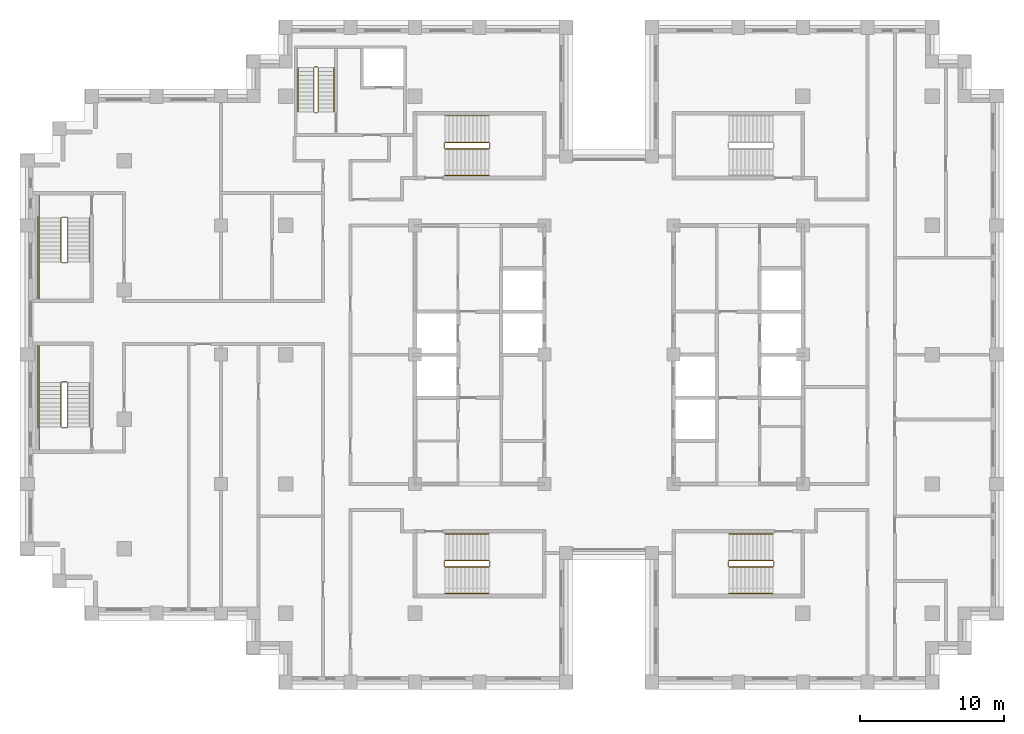
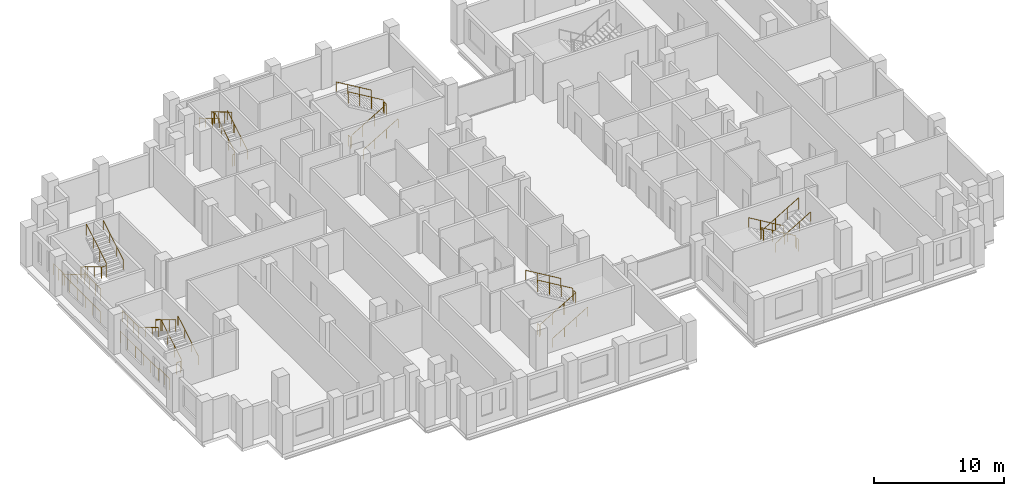
# One storey, part 14 of 15: 6 railings.
"""IFC4 building model written with IfcOpenShell, lengths in metres."""

from ifc_helpers import new_model, si_unit, direction, frame, origin, origin_2d, place, context, subcontext, project, spatial, circle, extrude, material, type_object, element, save


model = new_model("IFC4")

# Units and contexts
model_context = context("Model", 3, precision=1e-05, world=origin(), true_north=direction((0.0, 1.0)))
body_context = subcontext(model_context, "Body", "Model", "MODEL_VIEW")
ifc_project = project(units=[si_unit("LENGTHUNIT", "METRE"), si_unit("AREAUNIT", "SQUARE_METRE"), si_unit("VOLUMEUNIT", "CUBIC_METRE"), si_unit("PLANEANGLEUNIT", "RADIAN"), si_unit("MASSUNIT", "GRAM", prefix="KILO")], contexts=[model_context])

# Site, building, storey
site_placement = place(None, origin())
site = spatial("IfcSite", under=ifc_project, at=site_placement, CompositionType="ELEMENT")
building_placement = place(site_placement, origin())
building = spatial("IfcBuilding", under=site, at=building_placement, Name="Corbelhall Arena Tower", CompositionType="ELEMENT")
storey_placement = place(building_placement, frame((0.0, 0.0, 200.0)))
storey = spatial("IfcBuildingStorey", under=building, at=storey_placement, Name="L41", CompositionType="ELEMENT", Elevation=200.0)

# Railings
ifc_material = material(Name="Steel ASTM A500 Gr C", Category="steel")
railing_type = type_object("IfcRailingType", Name="IN-GD-1100", PredefinedType="GUARDRAIL", material=ifc_material)
railing_1_placement = place(storey_placement, frame((-11.425048828125, 14.324951171875, 0.166748046875)))
element("IfcRailing", 1, at=railing_1_placement, inside=storey, type_object=railing_type, Name="L41 ST1 stair guards and handrails", PredefinedType="GUARDRAIL", context=body_context, shape_type="SweptSolid", body=[
    extrude(circle(Radius=0.02392578125, at=origin_2d()), frame((0.0, 0.0, 1.076171875), z_axis=(0.859308565015, 0.0, 0.511457515432), x_axis=(0.0, 1.0, 0.0)), (0.0, 0.0, 1.0), 3.58447265625),
    extrude(circle(Radius=0.02392578125, at=origin_2d()), frame((3.130126953125, 0.050048828125, 2.9091796875), z_axis=(0.0, 1.0, 0.0), x_axis=(-1.0, 0.0, 0.0)), (0.0, 0.0, 1.0), 0.35009765625),
    extrude(circle(Radius=0.02392578125, at=origin_2d()), frame((3.080078125, 0.449951171875, 3.076171875), z_axis=(-0.859308565015, 0.0, 0.511457515432), x_axis=(0.0, -1.0, 0.0)), (0.0, 0.0, 1.0), 3.58447265625),
    extrude(circle(Radius=0.02392578125, at=origin_2d()), frame((-0.050048828125, 0.050048828125, 0.9091796875), z_axis=(0.0, 1.0, 0.0), x_axis=(-1.0, 0.0, 0.0)), (0.0, 0.0, 1.0), 0.35009765625),
    extrude(circle(Radius=0.02392578125, at=origin_2d()), frame((0.0, -1.849853515625, 0.8759765625), z_axis=(0.859308565015, 0.0, 0.511457515432), x_axis=(0.0, 1.0, 0.0)), (0.0, 0.0, 1.0), 3.58447265625),
    extrude(circle(Radius=0.02392578125, at=origin_2d()), frame((3.080078125, 2.300048828125, 2.8759765625), z_axis=(-0.859308565015, 0.0, 0.511457515432), x_axis=(0.0, -1.0, 0.0)), (0.0, 0.0, 1.0), 3.58447265625),
    extrude(circle(Radius=0.02099609375, at=origin_2d()), origin(), (0.0, 0.0, 1.0), 1.052001953125),
    extrude(circle(Radius=0.02099609375, at=origin_2d()), frame((1.026611328125, 0.0, 0.611083984375)), (0.0, 0.0, 1.0), 1.052001953125),
    extrude(circle(Radius=0.02099609375, at=origin_2d()), frame((2.053466796875, 0.0, 1.22216796875)), (0.0, 0.0, 1.0), 1.052001953125),
    extrude(circle(Radius=0.02099609375, at=origin_2d()), frame((3.080078125, 0.0, 1.833251953125)), (0.0, 0.0, 1.0), 1.052001953125),
    extrude(circle(Radius=0.02099609375, at=origin_2d()), frame((3.130126953125, 0.050048828125, 1.833251953125)), (0.0, 0.0, 1.0), 1.052001953125),
    extrude(circle(Radius=0.02099609375, at=origin_2d()), frame((3.130126953125, 0.400146484375, 1.833251953125)), (0.0, 0.0, 1.0), 1.052001953125),
    extrude(circle(Radius=0.02099609375, at=origin_2d()), frame((3.080078125, 0.449951171875, 2.0)), (0.0, 0.0, 1.0), 1.052001953125),
    extrude(circle(Radius=0.02099609375, at=origin_2d()), frame((2.053466796875, 0.449951171875, 2.611083984375)), (0.0, 0.0, 1.0), 1.052001953125),
    extrude(circle(Radius=0.02099609375, at=origin_2d()), frame((1.026611328125, 0.449951171875, 3.22216796875)), (0.0, 0.0, 1.0), 1.052001953125),
    extrude(circle(Radius=0.02099609375, at=origin_2d()), frame((0.0, 0.449951171875, 3.833251953125)), (0.0, 0.0, 1.0), 1.052001953125),
    extrude(circle(Radius=0.02099609375, at=origin_2d()), frame((-0.050048828125, 0.050048828125, -0.166748046875)), (0.0, 0.0, 1.0), 1.052001953125),
    extrude(circle(Radius=0.02099609375, at=origin_2d()), frame((-0.050048828125, 0.400146484375, -0.166748046875)), (0.0, 0.0, 1.0), 1.052001953125),
    extrude(circle(Radius=0.02099609375, at=origin_2d()), frame((0.0, -1.849853515625, 0.0)), (0.0, 0.0, 1.0), 0.851806640625),
    extrude(circle(Radius=0.02099609375, at=origin_2d()), frame((1.026611328125, -1.849853515625, 0.611083984375)), (0.0, 0.0, 1.0), 0.851806640625),
    extrude(circle(Radius=0.02099609375, at=origin_2d()), frame((2.053466796875, -1.849853515625, 1.22216796875)), (0.0, 0.0, 1.0), 0.851806640625),
    extrude(circle(Radius=0.02099609375, at=origin_2d()), frame((3.080078125, -1.849853515625, 1.833251953125)), (0.0, 0.0, 1.0), 0.851806640625),
    extrude(circle(Radius=0.02099609375, at=origin_2d()), frame((3.080078125, 2.300048828125, 2.0)), (0.0, 0.0, 1.0), 0.851806640625),
    extrude(circle(Radius=0.02099609375, at=origin_2d()), frame((2.053466796875, 2.300048828125, 2.611083984375)), (0.0, 0.0, 1.0), 0.851806640625),
    extrude(circle(Radius=0.02099609375, at=origin_2d()), frame((1.026611328125, 2.300048828125, 3.22216796875)), (0.0, 0.0, 1.0), 0.851806640625),
    extrude(circle(Radius=0.02099609375, at=origin_2d()), frame((0.0, 2.300048828125, 3.833251953125)), (0.0, 0.0, 1.0), 0.851806640625),
])
railing_2_placement = place(storey_placement, frame((-11.425048828125, -14.77490234375, 0.166748046875)))
element("IfcRailing", 2, at=railing_2_placement, inside=storey, type_object=railing_type, Name="L41 ST2 stair guards and handrails", PredefinedType="GUARDRAIL", context=body_context, shape_type="SweptSolid", body=[
    extrude(circle(Radius=0.02392578125, at=origin_2d()), frame((0.0, 0.0, 1.076171875), z_axis=(0.859308565015, 0.0, 0.511457515432), x_axis=(0.0, 1.0, 0.0)), (0.0, 0.0, 1.0), 3.58447265625),
    extrude(circle(Radius=0.02392578125, at=origin_2d()), frame((3.130126953125, 0.0498046875, 2.9091796875), z_axis=(0.0, 1.0, 0.0), x_axis=(-1.0, 0.0, 0.0)), (0.0, 0.0, 1.0), 0.35009765625),
    extrude(circle(Radius=0.02392578125, at=origin_2d()), frame((3.080078125, 0.449951171875, 3.076171875), z_axis=(-0.859308565015, 0.0, 0.511457515432), x_axis=(0.0, -1.0, 0.0)), (0.0, 0.0, 1.0), 3.58447265625),
    extrude(circle(Radius=0.02392578125, at=origin_2d()), frame((-0.050048828125, 0.0498046875, 0.9091796875), z_axis=(0.0, 1.0, 0.0), x_axis=(-1.0, 0.0, 0.0)), (0.0, 0.0, 1.0), 0.35009765625),
    extrude(circle(Radius=0.02392578125, at=origin_2d()), frame((0.0, -1.85009765625, 0.8759765625), z_axis=(0.859308565015, 0.0, 0.511457515432), x_axis=(0.0, 1.0, 0.0)), (0.0, 0.0, 1.0), 3.58447265625),
    extrude(circle(Radius=0.02392578125, at=origin_2d()), frame((3.080078125, 2.2998046875, 2.8759765625), z_axis=(-0.859308565015, 0.0, 0.511457515432), x_axis=(0.0, -1.0, 0.0)), (0.0, 0.0, 1.0), 3.58447265625),
    extrude(circle(Radius=0.02099609375, at=origin_2d()), origin(), (0.0, 0.0, 1.0), 1.052001953125),
    extrude(circle(Radius=0.02099609375, at=origin_2d()), frame((1.026611328125, 0.0, 0.611083984375)), (0.0, 0.0, 1.0), 1.052001953125),
    extrude(circle(Radius=0.02099609375, at=origin_2d()), frame((2.053466796875, 0.0, 1.22216796875)), (0.0, 0.0, 1.0), 1.052001953125),
    extrude(circle(Radius=0.02099609375, at=origin_2d()), frame((3.080078125, 0.0, 1.833251953125)), (0.0, 0.0, 1.0), 1.052001953125),
    extrude(circle(Radius=0.02099609375, at=origin_2d()), frame((3.130126953125, 0.0498046875, 1.833251953125)), (0.0, 0.0, 1.0), 1.052001953125),
    extrude(circle(Radius=0.02099609375, at=origin_2d()), frame((3.130126953125, 0.39990234375, 1.833251953125)), (0.0, 0.0, 1.0), 1.052001953125),
    extrude(circle(Radius=0.02099609375, at=origin_2d()), frame((3.080078125, 0.449951171875, 2.0)), (0.0, 0.0, 1.0), 1.052001953125),
    extrude(circle(Radius=0.02099609375, at=origin_2d()), frame((2.053466796875, 0.449951171875, 2.611083984375)), (0.0, 0.0, 1.0), 1.052001953125),
    extrude(circle(Radius=0.02099609375, at=origin_2d()), frame((1.026611328125, 0.449951171875, 3.22216796875)), (0.0, 0.0, 1.0), 1.052001953125),
    extrude(circle(Radius=0.02099609375, at=origin_2d()), frame((0.0, 0.449951171875, 3.833251953125)), (0.0, 0.0, 1.0), 1.052001953125),
    extrude(circle(Radius=0.02099609375, at=origin_2d()), frame((-0.050048828125, 0.0498046875, -0.166748046875)), (0.0, 0.0, 1.0), 1.052001953125),
    extrude(circle(Radius=0.02099609375, at=origin_2d()), frame((-0.050048828125, 0.39990234375, -0.166748046875)), (0.0, 0.0, 1.0), 1.052001953125),
    extrude(circle(Radius=0.02099609375, at=origin_2d()), frame((0.0, -1.85009765625, 0.0)), (0.0, 0.0, 1.0), 0.851806640625),
    extrude(circle(Radius=0.02099609375, at=origin_2d()), frame((1.026611328125, -1.85009765625, 0.611083984375)), (0.0, 0.0, 1.0), 0.851806640625),
    extrude(circle(Radius=0.02099609375, at=origin_2d()), frame((2.053466796875, -1.85009765625, 1.22216796875)), (0.0, 0.0, 1.0), 0.851806640625),
    extrude(circle(Radius=0.02099609375, at=origin_2d()), frame((3.080078125, -1.85009765625, 1.833251953125)), (0.0, 0.0, 1.0), 0.851806640625),
    extrude(circle(Radius=0.02099609375, at=origin_2d()), frame((3.080078125, 2.2998046875, 2.0)), (0.0, 0.0, 1.0), 0.851806640625),
    extrude(circle(Radius=0.02099609375, at=origin_2d()), frame((2.053466796875, 2.2998046875, 2.611083984375)), (0.0, 0.0, 1.0), 0.851806640625),
    extrude(circle(Radius=0.02099609375, at=origin_2d()), frame((1.026611328125, 2.2998046875, 3.22216796875)), (0.0, 0.0, 1.0), 0.851806640625),
    extrude(circle(Radius=0.02099609375, at=origin_2d()), frame((0.0, 2.2998046875, 3.833251953125)), (0.0, 0.0, 1.0), 0.851806640625),
])
railing_3_placement = place(storey_placement, frame((11.425048828125, -14.324951171875, 0.166748046875)))
element("IfcRailing", 3, at=railing_3_placement, inside=storey, type_object=railing_type, Name="L41 ST4 stair guards and handrails", PredefinedType="GUARDRAIL", context=body_context, shape_type="SweptSolid", body=[
    extrude(circle(Radius=0.02392578125, at=origin_2d()), frame((0.0, 0.0, 1.076171875), z_axis=(-0.859308565015, 0.0, 0.511457515432), x_axis=(0.0, -1.0, 0.0)), (0.0, 0.0, 1.0), 3.58447265625),
    extrude(circle(Radius=0.02392578125, at=origin_2d()), frame((-3.130126953125, -0.050048828125, 2.9091796875), z_axis=(0.0, -1.0, 0.0), x_axis=(1.0, 0.0, 0.0)), (0.0, 0.0, 1.0), 0.35009765625),
    extrude(circle(Radius=0.02392578125, at=origin_2d()), frame((-3.080078125, -0.449951171875, 3.076171875), z_axis=(0.859308565015, 0.0, 0.511457515432), x_axis=(0.0, 1.0, 0.0)), (0.0, 0.0, 1.0), 3.58447265625),
    extrude(circle(Radius=0.02392578125, at=origin_2d()), frame((0.050048828125, -0.050048828125, 0.9091796875), z_axis=(0.0, -1.0, 0.0), x_axis=(1.0, 0.0, 0.0)), (0.0, 0.0, 1.0), 0.35009765625),
    extrude(circle(Radius=0.02392578125, at=origin_2d()), frame((0.0, 1.849853515625, 0.8759765625), z_axis=(-0.859308565015, 0.0, 0.511457515432), x_axis=(0.0, -1.0, 0.0)), (0.0, 0.0, 1.0), 3.58447265625),
    extrude(circle(Radius=0.02392578125, at=origin_2d()), frame((-3.080078125, -2.300048828125, 2.8759765625), z_axis=(0.859308565015, 0.0, 0.511457515432), x_axis=(0.0, 1.0, 0.0)), (0.0, 0.0, 1.0), 3.58447265625),
    extrude(circle(Radius=0.02099609375, at=origin_2d()), origin(), (0.0, 0.0, 1.0), 1.052001953125),
    extrude(circle(Radius=0.02099609375, at=origin_2d()), frame((-1.026611328125, 0.0, 0.611083984375)), (0.0, 0.0, 1.0), 1.052001953125),
    extrude(circle(Radius=0.02099609375, at=origin_2d()), frame((-2.053466796875, 0.0, 1.22216796875)), (0.0, 0.0, 1.0), 1.052001953125),
    extrude(circle(Radius=0.02099609375, at=origin_2d()), frame((-3.080078125, 0.0, 1.833251953125)), (0.0, 0.0, 1.0), 1.052001953125),
    extrude(circle(Radius=0.02099609375, at=origin_2d()), frame((-3.130126953125, -0.050048828125, 1.833251953125)), (0.0, 0.0, 1.0), 1.052001953125),
    extrude(circle(Radius=0.02099609375, at=origin_2d()), frame((-3.130126953125, -0.400146484375, 1.833251953125)), (0.0, 0.0, 1.0), 1.052001953125),
    extrude(circle(Radius=0.02099609375, at=origin_2d()), frame((-3.080078125, -0.449951171875, 2.0)), (0.0, 0.0, 1.0), 1.052001953125),
    extrude(circle(Radius=0.02099609375, at=origin_2d()), frame((-2.053466796875, -0.449951171875, 2.611083984375)), (0.0, 0.0, 1.0), 1.052001953125),
    extrude(circle(Radius=0.02099609375, at=origin_2d()), frame((-1.026611328125, -0.449951171875, 3.22216796875)), (0.0, 0.0, 1.0), 1.052001953125),
    extrude(circle(Radius=0.02099609375, at=origin_2d()), frame((0.0, -0.449951171875, 3.833251953125)), (0.0, 0.0, 1.0), 1.052001953125),
    extrude(circle(Radius=0.02099609375, at=origin_2d()), frame((0.050048828125, -0.050048828125, -0.166748046875)), (0.0, 0.0, 1.0), 1.052001953125),
    extrude(circle(Radius=0.02099609375, at=origin_2d()), frame((0.050048828125, -0.400146484375, -0.166748046875)), (0.0, 0.0, 1.0), 1.052001953125),
    extrude(circle(Radius=0.02099609375, at=origin_2d()), frame((0.0, 1.849853515625, 0.0)), (0.0, 0.0, 1.0), 0.851806640625),
    extrude(circle(Radius=0.02099609375, at=origin_2d()), frame((-1.026611328125, 1.849853515625, 0.611083984375)), (0.0, 0.0, 1.0), 0.851806640625),
    extrude(circle(Radius=0.02099609375, at=origin_2d()), frame((-2.053466796875, 1.849853515625, 1.22216796875)), (0.0, 0.0, 1.0), 0.851806640625),
    extrude(circle(Radius=0.02099609375, at=origin_2d()), frame((-3.080078125, 1.849853515625, 1.833251953125)), (0.0, 0.0, 1.0), 0.851806640625),
    extrude(circle(Radius=0.02099609375, at=origin_2d()), frame((-3.080078125, -2.300048828125, 2.0)), (0.0, 0.0, 1.0), 0.851806640625),
    extrude(circle(Radius=0.02099609375, at=origin_2d()), frame((-2.053466796875, -2.300048828125, 2.611083984375)), (0.0, 0.0, 1.0), 0.851806640625),
    extrude(circle(Radius=0.02099609375, at=origin_2d()), frame((-1.026611328125, -2.300048828125, 3.22216796875)), (0.0, 0.0, 1.0), 0.851806640625),
    extrude(circle(Radius=0.02099609375, at=origin_2d()), frame((0.0, -2.300048828125, 3.833251953125)), (0.0, 0.0, 1.0), 0.851806640625),
])
railing_4_placement = place(storey_placement, frame((-38.14990234375, 9.52490234375, 0.166748046875)))
element("IfcRailing", 4, at=railing_4_placement, inside=storey, type_object=railing_type, Name="L41 SC1 stair guards and handrails", PredefinedType="GUARDRAIL", context=body_context, shape_type="SweptSolid", body=[
    extrude(circle(Radius=0.02392578125, at=origin_2d()), frame((0.0, 0.0, 1.076171875), z_axis=(0.0, -0.859290745958, 0.51148745235), x_axis=(1.0, 0.0, 0.0)), (0.0, 0.0, 1.0), 3.584228515625),
    extrude(circle(Radius=0.02392578125, at=origin_2d()), frame((0.0498046875, -3.1298828125, 2.9091796875), z_axis=(1.0, 0.0, 0.0), x_axis=(0.0, 1.0, 0.0)), (0.0, 0.0, 1.0), 0.375),
    extrude(circle(Radius=0.02392578125, at=origin_2d()), frame((-1.5, -3.079833984375, 2.9091796875), z_axis=(0.0, -1.0, 0.0), x_axis=(1.0, 0.0, 0.0)), (0.0, 0.0, 1.0), 2.570068359375),
    extrude(circle(Radius=0.02392578125, at=origin_2d()), frame((0.474853515625, -3.079833984375, 3.076171875), z_axis=(0.0, 0.859290745958, 0.51148745235), x_axis=(-1.0, 0.0, 0.0)), (0.0, 0.0, 1.0), 3.584228515625),
    extrude(circle(Radius=0.02392578125, at=origin_2d()), frame((0.0498046875, 0.050048828125, 0.9091796875), z_axis=(1.0, 0.0, 0.0), x_axis=(0.0, 1.0, 0.0)), (0.0, 0.0, 1.0), 0.375),
    extrude(circle(Radius=0.02392578125, at=origin_2d()), frame((-1.5, 1.60009765625, 0.9091796875), z_axis=(0.0, -1.0, 0.0), x_axis=(1.0, 0.0, 0.0)), (0.0, 0.0, 1.0), 1.60009765625),
    extrude(circle(Radius=0.02392578125, at=origin_2d()), frame((-1.60009765625, 0.10009765625, 0.9091796875), z_axis=(0.0, -1.0, 0.0), x_axis=(1.0, 0.0, 0.0)), (0.0, 0.0, 1.0), 5.85009765625),
    extrude(circle(Radius=0.02392578125, at=origin_2d()), frame((-1.5, 0.0, 0.8759765625), z_axis=(0.0, -0.859290745958, 0.51148745235), x_axis=(1.0, 0.0, 0.0)), (0.0, 0.0, 1.0), 3.584228515625),
    extrude(circle(Radius=0.02392578125, at=origin_2d()), frame((1.974853515625, -3.079833984375, 2.8759765625), z_axis=(0.0, 0.859290745958, 0.51148745235), x_axis=(-1.0, 0.0, 0.0)), (0.0, 0.0, 1.0), 3.584228515625),
    extrude(circle(Radius=0.02099609375, at=origin_2d()), origin(), (0.0, 0.0, 1.0), 1.052001953125),
    extrude(circle(Radius=0.02099609375, at=origin_2d()), frame((0.0, -1.026611328125, 0.611083984375)), (0.0, 0.0, 1.0), 1.052001953125),
    extrude(circle(Radius=0.02099609375, at=origin_2d()), frame((0.0, -2.05322265625, 1.22216796875)), (0.0, 0.0, 1.0), 1.052001953125),
    extrude(circle(Radius=0.02099609375, at=origin_2d()), frame((0.0, -3.079833984375, 1.833251953125)), (0.0, 0.0, 1.0), 1.052001953125),
    extrude(circle(Radius=0.02099609375, at=origin_2d()), frame((0.0498046875, -3.1298828125, 1.833251953125)), (0.0, 0.0, 1.0), 1.052001953125),
    extrude(circle(Radius=0.02099609375, at=origin_2d()), frame((0.4248046875, -3.1298828125, 1.833251953125)), (0.0, 0.0, 1.0), 1.052001953125),
    extrude(circle(Radius=0.02099609375, at=origin_2d()), frame((-1.5, -3.079833984375, 1.833251953125)), (0.0, 0.0, 1.0), 1.052001953125),
    extrude(circle(Radius=0.02099609375, at=origin_2d()), frame((-1.5, -3.9365234375, 1.833251953125)), (0.0, 0.0, 1.0), 1.052001953125),
    extrude(circle(Radius=0.02099609375, at=origin_2d()), frame((-1.5, -4.793212890625, 1.833251953125)), (0.0, 0.0, 1.0), 1.052001953125),
    extrude(circle(Radius=0.02099609375, at=origin_2d()), frame((-1.5, -5.64990234375, 1.833251953125)), (0.0, 0.0, 1.0), 1.052001953125),
    extrude(circle(Radius=0.02099609375, at=origin_2d()), frame((0.474853515625, -3.079833984375, 2.0)), (0.0, 0.0, 1.0), 1.052001953125),
    extrude(circle(Radius=0.02099609375, at=origin_2d()), frame((0.474853515625, -2.05322265625, 2.611083984375)), (0.0, 0.0, 1.0), 1.052001953125),
    extrude(circle(Radius=0.02099609375, at=origin_2d()), frame((0.474853515625, -1.026611328125, 3.22216796875)), (0.0, 0.0, 1.0), 1.052001953125),
    extrude(circle(Radius=0.02099609375, at=origin_2d()), frame((0.474853515625, 0.0, 3.833251953125)), (0.0, 0.0, 1.0), 1.052001953125),
    extrude(circle(Radius=0.02099609375, at=origin_2d()), frame((0.0498046875, 0.050048828125, -0.166748046875)), (0.0, 0.0, 1.0), 1.052001953125),
    extrude(circle(Radius=0.02099609375, at=origin_2d()), frame((0.4248046875, 0.050048828125, -0.166748046875)), (0.0, 0.0, 1.0), 1.052001953125),
    extrude(circle(Radius=0.02099609375, at=origin_2d()), frame((-1.5, 1.60009765625, -0.166748046875)), (0.0, 0.0, 1.0), 1.052001953125),
    extrude(circle(Radius=0.02099609375, at=origin_2d()), frame((-1.5, 0.800048828125, -0.166748046875)), (0.0, 0.0, 1.0), 1.052001953125),
    extrude(circle(Radius=0.02099609375, at=origin_2d()), frame((-1.5, 0.0, -0.166748046875)), (0.0, 0.0, 1.0), 1.052001953125),
    extrude(circle(Radius=0.02099609375, at=origin_2d()), frame((-1.60009765625, 0.10009765625, -0.166748046875)), (0.0, 0.0, 1.0), 1.052001953125),
    extrude(circle(Radius=0.02099609375, at=origin_2d()), frame((-1.60009765625, -1.06982421875, -0.166748046875)), (0.0, 0.0, 1.0), 1.052001953125),
    extrude(circle(Radius=0.02099609375, at=origin_2d()), frame((-1.60009765625, -2.239990234375, -0.166748046875)), (0.0, 0.0, 1.0), 1.052001953125),
    extrude(circle(Radius=0.02099609375, at=origin_2d()), frame((-1.60009765625, -3.409912109375, -0.166748046875)), (0.0, 0.0, 1.0), 1.052001953125),
    extrude(circle(Radius=0.02099609375, at=origin_2d()), frame((-1.60009765625, -4.580078125, -0.166748046875)), (0.0, 0.0, 1.0), 1.052001953125),
    extrude(circle(Radius=0.02099609375, at=origin_2d()), frame((-1.60009765625, -5.75, -0.166748046875)), (0.0, 0.0, 1.0), 1.052001953125),
    extrude(circle(Radius=0.02099609375, at=origin_2d()), frame((-1.5, 0.0, 0.0)), (0.0, 0.0, 1.0), 0.851806640625),
    extrude(circle(Radius=0.02099609375, at=origin_2d()), frame((-1.5, -1.026611328125, 0.611083984375)), (0.0, 0.0, 1.0), 0.851806640625),
    extrude(circle(Radius=0.02099609375, at=origin_2d()), frame((-1.5, -2.05322265625, 1.22216796875)), (0.0, 0.0, 1.0), 0.851806640625),
    extrude(circle(Radius=0.02099609375, at=origin_2d()), frame((1.974853515625, -3.079833984375, 2.0)), (0.0, 0.0, 1.0), 0.851806640625),
    extrude(circle(Radius=0.02099609375, at=origin_2d()), frame((1.974853515625, -2.05322265625, 2.611083984375)), (0.0, 0.0, 1.0), 0.851806640625),
    extrude(circle(Radius=0.02099609375, at=origin_2d()), frame((1.974853515625, -1.026611328125, 3.22216796875)), (0.0, 0.0, 1.0), 0.851806640625),
    extrude(circle(Radius=0.02099609375, at=origin_2d()), frame((1.974853515625, 0.0, 3.833251953125)), (0.0, 0.0, 1.0), 0.851806640625),
])
railing_5_placement = place(storey_placement, frame((-37.675048828125, -5.02490234375, 0.166748046875)))
element("IfcRailing", 5, at=railing_5_placement, inside=storey, type_object=railing_type, Name="L41 SC2 stair guards and handrails", PredefinedType="GUARDRAIL", context=body_context, shape_type="SweptSolid", body=[
    extrude(circle(Radius=0.02392578125, at=origin_2d()), frame((0.0, 0.0, 1.076171875), z_axis=(0.0, 0.859290745958, 0.51148745235), x_axis=(-1.0, 0.0, 0.0)), (0.0, 0.0, 1.0), 3.584228515625),
    extrude(circle(Radius=0.02392578125, at=origin_2d()), frame((-0.050048828125, 3.1298828125, 2.9091796875), z_axis=(-1.0, 0.0, 0.0), x_axis=(0.0, -1.0, 0.0)), (0.0, 0.0, 1.0), 0.375),
    extrude(circle(Radius=0.02392578125, at=origin_2d()), frame((-1.974853515625, 3.079833984375, 2.9091796875), z_axis=(0.0, 1.0, 0.0), x_axis=(-1.0, 0.0, 0.0)), (0.0, 0.0, 1.0), 2.570068359375),
    extrude(circle(Radius=0.02392578125, at=origin_2d()), frame((-0.474853515625, 3.079833984375, 3.076171875), z_axis=(0.0, -0.859290745958, 0.51148745235), x_axis=(1.0, 0.0, 0.0)), (0.0, 0.0, 1.0), 3.584228515625),
    extrude(circle(Radius=0.02392578125, at=origin_2d()), frame((-0.050048828125, -0.050048828125, 0.9091796875), z_axis=(-1.0, 0.0, 0.0), x_axis=(0.0, -1.0, 0.0)), (0.0, 0.0, 1.0), 0.375),
    extrude(circle(Radius=0.02392578125, at=origin_2d()), frame((-1.974853515625, -1.60009765625, 0.9091796875), z_axis=(0.0, 1.0, 0.0), x_axis=(-1.0, 0.0, 0.0)), (0.0, 0.0, 1.0), 1.60009765625),
    extrude(circle(Radius=0.02392578125, at=origin_2d()), frame((-2.074951171875, -0.10009765625, 0.9091796875), z_axis=(0.0, 1.0, 0.0), x_axis=(-1.0, 0.0, 0.0)), (0.0, 0.0, 1.0), 5.85009765625),
    extrude(circle(Radius=0.02392578125, at=origin_2d()), frame((1.5, 0.0, 0.8759765625), z_axis=(0.0, 0.859290745958, 0.51148745235), x_axis=(-1.0, 0.0, 0.0)), (0.0, 0.0, 1.0), 3.584228515625),
    extrude(circle(Radius=0.02392578125, at=origin_2d()), frame((-1.974853515625, 3.079833984375, 2.8759765625), z_axis=(0.0, -0.859290745958, 0.51148745235), x_axis=(1.0, 0.0, 0.0)), (0.0, 0.0, 1.0), 3.584228515625),
    extrude(circle(Radius=0.02099609375, at=origin_2d()), origin(), (0.0, 0.0, 1.0), 1.052001953125),
    extrude(circle(Radius=0.02099609375, at=origin_2d()), frame((0.0, 1.026611328125, 0.611083984375)), (0.0, 0.0, 1.0), 1.052001953125),
    extrude(circle(Radius=0.02099609375, at=origin_2d()), frame((0.0, 2.05322265625, 1.22216796875)), (0.0, 0.0, 1.0), 1.052001953125),
    extrude(circle(Radius=0.02099609375, at=origin_2d()), frame((0.0, 3.079833984375, 1.833251953125)), (0.0, 0.0, 1.0), 1.052001953125),
    extrude(circle(Radius=0.02099609375, at=origin_2d()), frame((-0.050048828125, 3.1298828125, 1.833251953125)), (0.0, 0.0, 1.0), 1.052001953125),
    extrude(circle(Radius=0.02099609375, at=origin_2d()), frame((-0.425048828125, 3.1298828125, 1.833251953125)), (0.0, 0.0, 1.0), 1.052001953125),
    extrude(circle(Radius=0.02099609375, at=origin_2d()), frame((-1.974853515625, 3.079833984375, 1.833251953125)), (0.0, 0.0, 1.0), 1.052001953125),
    extrude(circle(Radius=0.02099609375, at=origin_2d()), frame((-1.974853515625, 3.9365234375, 1.833251953125)), (0.0, 0.0, 1.0), 1.052001953125),
    extrude(circle(Radius=0.02099609375, at=origin_2d()), frame((-1.974853515625, 4.793212890625, 1.833251953125)), (0.0, 0.0, 1.0), 1.052001953125),
    extrude(circle(Radius=0.02099609375, at=origin_2d()), frame((-1.974853515625, 5.64990234375, 1.833251953125)), (0.0, 0.0, 1.0), 1.052001953125),
    extrude(circle(Radius=0.02099609375, at=origin_2d()), frame((-0.474853515625, 3.079833984375, 2.0)), (0.0, 0.0, 1.0), 1.052001953125),
    extrude(circle(Radius=0.02099609375, at=origin_2d()), frame((-0.474853515625, 2.05322265625, 2.611083984375)), (0.0, 0.0, 1.0), 1.052001953125),
    extrude(circle(Radius=0.02099609375, at=origin_2d()), frame((-0.474853515625, 1.026611328125, 3.22216796875)), (0.0, 0.0, 1.0), 1.052001953125),
    extrude(circle(Radius=0.02099609375, at=origin_2d()), frame((-0.474853515625, 0.0, 3.833251953125)), (0.0, 0.0, 1.0), 1.052001953125),
    extrude(circle(Radius=0.02099609375, at=origin_2d()), frame((-0.050048828125, -0.050048828125, -0.166748046875)), (0.0, 0.0, 1.0), 1.052001953125),
    extrude(circle(Radius=0.02099609375, at=origin_2d()), frame((-0.425048828125, -0.050048828125, -0.166748046875)), (0.0, 0.0, 1.0), 1.052001953125),
    extrude(circle(Radius=0.02099609375, at=origin_2d()), frame((-1.974853515625, -1.60009765625, -0.166748046875)), (0.0, 0.0, 1.0), 1.052001953125),
    extrude(circle(Radius=0.02099609375, at=origin_2d()), frame((-1.974853515625, -0.800048828125, -0.166748046875)), (0.0, 0.0, 1.0), 1.052001953125),
    extrude(circle(Radius=0.02099609375, at=origin_2d()), frame((-1.974853515625, 0.0, -0.166748046875)), (0.0, 0.0, 1.0), 1.052001953125),
    extrude(circle(Radius=0.02099609375, at=origin_2d()), frame((-2.074951171875, -0.10009765625, -0.166748046875)), (0.0, 0.0, 1.0), 1.052001953125),
    extrude(circle(Radius=0.02099609375, at=origin_2d()), frame((-2.074951171875, 1.06982421875, -0.166748046875)), (0.0, 0.0, 1.0), 1.052001953125),
    extrude(circle(Radius=0.02099609375, at=origin_2d()), frame((-2.074951171875, 2.239990234375, -0.166748046875)), (0.0, 0.0, 1.0), 1.052001953125),
    extrude(circle(Radius=0.02099609375, at=origin_2d()), frame((-2.074951171875, 3.409912109375, -0.166748046875)), (0.0, 0.0, 1.0), 1.052001953125),
    extrude(circle(Radius=0.02099609375, at=origin_2d()), frame((-2.074951171875, 4.580078125, -0.166748046875)), (0.0, 0.0, 1.0), 1.052001953125),
    extrude(circle(Radius=0.02099609375, at=origin_2d()), frame((-2.074951171875, 5.75, -0.166748046875)), (0.0, 0.0, 1.0), 1.052001953125),
    extrude(circle(Radius=0.02099609375, at=origin_2d()), frame((1.5, 0.0, 0.0)), (0.0, 0.0, 1.0), 0.851806640625),
    extrude(circle(Radius=0.02099609375, at=origin_2d()), frame((1.5, 1.026611328125, 0.611083984375)), (0.0, 0.0, 1.0), 0.851806640625),
    extrude(circle(Radius=0.02099609375, at=origin_2d()), frame((1.5, 2.05322265625, 1.22216796875)), (0.0, 0.0, 1.0), 0.851806640625),
    extrude(circle(Radius=0.02099609375, at=origin_2d()), frame((1.5, 3.079833984375, 1.833251953125)), (0.0, 0.0, 1.0), 0.851806640625),
    extrude(circle(Radius=0.02099609375, at=origin_2d()), frame((-1.974853515625, 3.079833984375, 2.0)), (0.0, 0.0, 1.0), 0.851806640625),
    extrude(circle(Radius=0.02099609375, at=origin_2d()), frame((-1.974853515625, 2.05322265625, 2.611083984375)), (0.0, 0.0, 1.0), 0.851806640625),
    extrude(circle(Radius=0.02099609375, at=origin_2d()), frame((-1.974853515625, 1.026611328125, 3.22216796875)), (0.0, 0.0, 1.0), 0.851806640625),
    extrude(circle(Radius=0.02099609375, at=origin_2d()), frame((-1.974853515625, 0.0, 3.833251953125)), (0.0, 0.0, 1.0), 0.851806640625),
])
railing_6_placement = place(storey_placement, frame((-20.2451171875, 16.89990234375, 0.166748046875)))
element("IfcRailing", 6, at=railing_6_placement, inside=storey, type_object=railing_type, Name="L41 ST5 stair guards and handrails", PredefinedType="GUARDRAIL", context=body_context, shape_type="SweptSolid", body=[
    extrude(circle(Radius=0.02392578125, at=origin_2d()), frame((0.0, 0.0, 1.076171875), z_axis=(0.0, 0.859308565015, 0.511457515432), x_axis=(-1.0, 0.0, 0.0)), (0.0, 0.0, 1.0), 3.58447265625),
    extrude(circle(Radius=0.02392578125, at=origin_2d()), frame((-0.0498046875, 3.130126953125, 2.9091796875), z_axis=(-1.0, 0.0, 0.0), x_axis=(0.0, -1.0, 0.0)), (0.0, 0.0, 1.0), 0.2001953125),
    extrude(circle(Radius=0.02392578125, at=origin_2d()), frame((-0.2998046875, 3.080078125, 3.076171875), z_axis=(0.0, -0.859308565015, 0.511457515432), x_axis=(1.0, 0.0, 0.0)), (0.0, 0.0, 1.0), 3.58447265625),
    extrude(circle(Radius=0.02392578125, at=origin_2d()), frame((-0.0498046875, -0.0498046875, 0.9091796875), z_axis=(-1.0, 0.0, 0.0), x_axis=(0.0, -1.0, 0.0)), (0.0, 0.0, 1.0), 0.2001953125),
    extrude(circle(Radius=0.02392578125, at=origin_2d()), frame((1.10009765625, 0.0, 0.8759765625), z_axis=(0.0, 0.859308565015, 0.511457515432), x_axis=(-1.0, 0.0, 0.0)), (0.0, 0.0, 1.0), 3.58447265625),
    extrude(circle(Radius=0.02392578125, at=origin_2d()), frame((-1.39990234375, 3.080078125, 2.8759765625), z_axis=(0.0, -0.859308565015, 0.511457515432), x_axis=(1.0, 0.0, 0.0)), (0.0, 0.0, 1.0), 3.58447265625),
    extrude(circle(Radius=0.02099609375, at=origin_2d()), origin(), (0.0, 0.0, 1.0), 1.052001953125),
    extrude(circle(Radius=0.02099609375, at=origin_2d()), frame((0.0, 1.026611328125, 0.611083984375)), (0.0, 0.0, 1.0), 1.052001953125),
    extrude(circle(Radius=0.02099609375, at=origin_2d()), frame((0.0, 2.053466796875, 1.22216796875)), (0.0, 0.0, 1.0), 1.052001953125),
    extrude(circle(Radius=0.02099609375, at=origin_2d()), frame((0.0, 3.080078125, 1.833251953125)), (0.0, 0.0, 1.0), 1.052001953125),
    extrude(circle(Radius=0.02099609375, at=origin_2d()), frame((-0.0498046875, 3.130126953125, 1.833251953125)), (0.0, 0.0, 1.0), 1.052001953125),
    extrude(circle(Radius=0.02099609375, at=origin_2d()), frame((-0.25, 3.130126953125, 1.833251953125)), (0.0, 0.0, 1.0), 1.052001953125),
    extrude(circle(Radius=0.02099609375, at=origin_2d()), frame((-0.2998046875, 3.080078125, 2.0)), (0.0, 0.0, 1.0), 1.052001953125),
    extrude(circle(Radius=0.02099609375, at=origin_2d()), frame((-0.2998046875, 2.053466796875, 2.611083984375)), (0.0, 0.0, 1.0), 1.052001953125),
    extrude(circle(Radius=0.02099609375, at=origin_2d()), frame((-0.2998046875, 1.026611328125, 3.22216796875)), (0.0, 0.0, 1.0), 1.052001953125),
    extrude(circle(Radius=0.02099609375, at=origin_2d()), frame((-0.2998046875, 0.0, 3.833251953125)), (0.0, 0.0, 1.0), 1.052001953125),
    extrude(circle(Radius=0.02099609375, at=origin_2d()), frame((-0.0498046875, -0.0498046875, -0.166748046875)), (0.0, 0.0, 1.0), 1.052001953125),
    extrude(circle(Radius=0.02099609375, at=origin_2d()), frame((-0.25, -0.0498046875, -0.166748046875)), (0.0, 0.0, 1.0), 1.052001953125),
    extrude(circle(Radius=0.02099609375, at=origin_2d()), frame((1.10009765625, 0.0, 0.0)), (0.0, 0.0, 1.0), 0.851806640625),
    extrude(circle(Radius=0.02099609375, at=origin_2d()), frame((1.10009765625, 1.026611328125, 0.611083984375)), (0.0, 0.0, 1.0), 0.851806640625),
    extrude(circle(Radius=0.02099609375, at=origin_2d()), frame((1.10009765625, 2.053466796875, 1.22216796875)), (0.0, 0.0, 1.0), 0.851806640625),
    extrude(circle(Radius=0.02099609375, at=origin_2d()), frame((1.10009765625, 3.080078125, 1.833251953125)), (0.0, 0.0, 1.0), 0.851806640625),
    extrude(circle(Radius=0.02099609375, at=origin_2d()), frame((-1.39990234375, 3.080078125, 2.0)), (0.0, 0.0, 1.0), 0.851806640625),
    extrude(circle(Radius=0.02099609375, at=origin_2d()), frame((-1.39990234375, 2.053466796875, 2.611083984375)), (0.0, 0.0, 1.0), 0.851806640625),
    extrude(circle(Radius=0.02099609375, at=origin_2d()), frame((-1.39990234375, 1.026611328125, 3.22216796875)), (0.0, 0.0, 1.0), 0.851806640625),
    extrude(circle(Radius=0.02099609375, at=origin_2d()), frame((-1.39990234375, 0.0, 3.833251953125)), (0.0, 0.0, 1.0), 0.851806640625),
])

save(model, "model.ifc")
